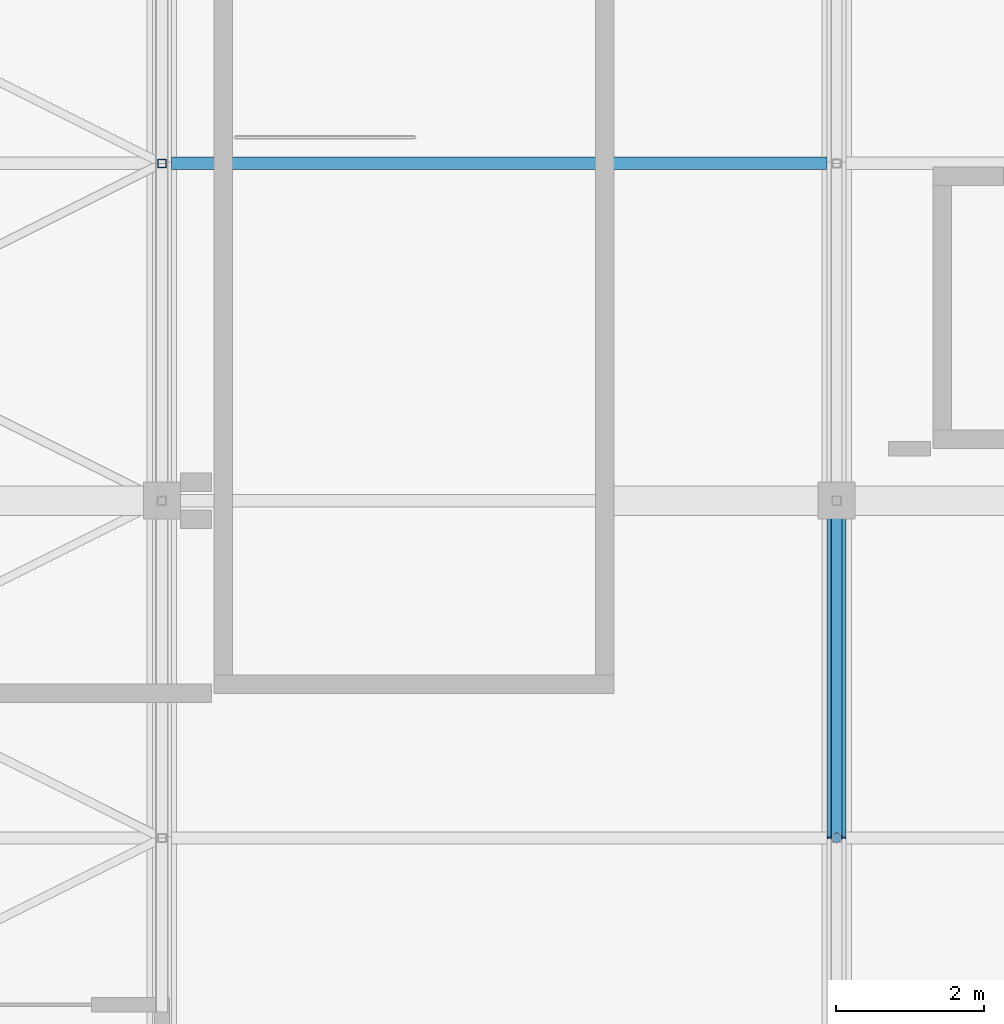
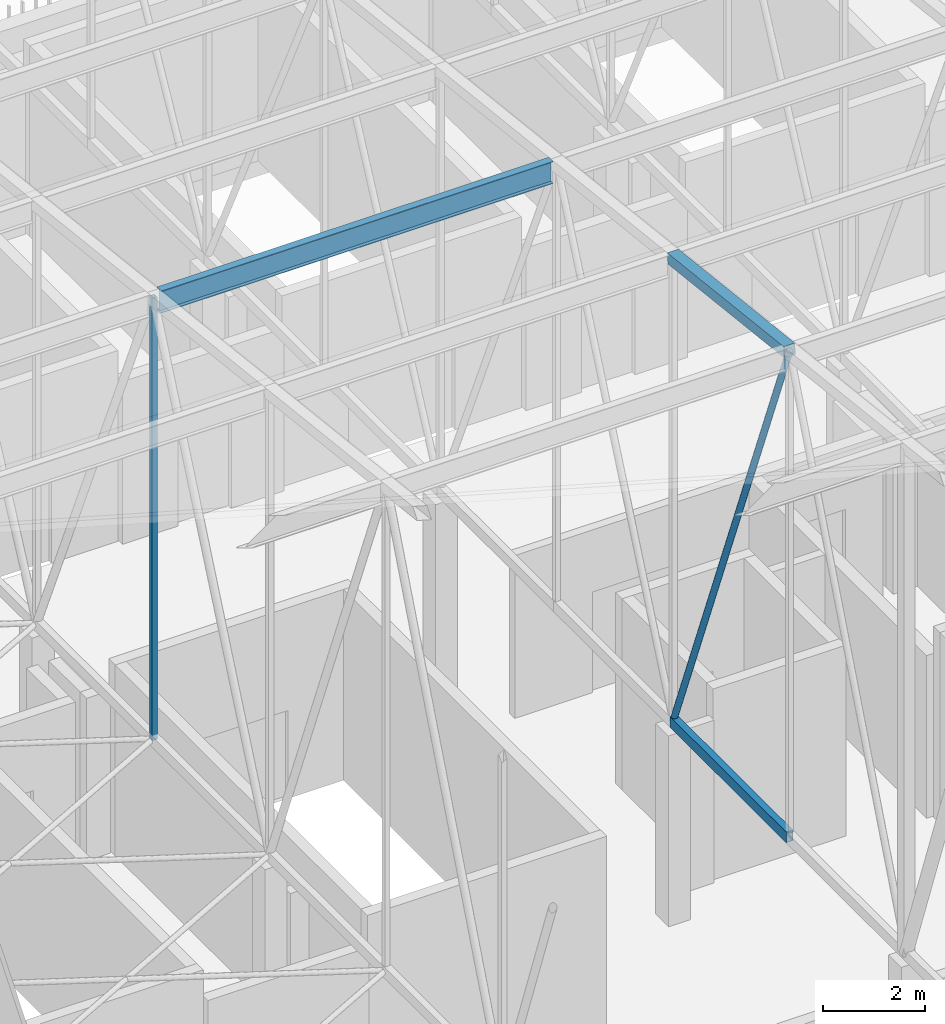
# One storey, part 190 of 500: 5 members.
"""IFC4 building model written with IfcOpenShell, lengths in metres."""

from ifc_helpers import new_model, si_unit, direction, frame, origin, origin_2d, place, context, subcontext, project, spatial, hollow_rectangle, hollow_circle, i_section, extrude, material, material_profile, profile_set, type_object, element, save


model = new_model("IFC4")

# Units and contexts
model_context = context("Model", 3, precision=1e-05, world=origin(), true_north=direction((0.0, 1.0)))
body_context = subcontext(model_context, "Body", "Model", "MODEL_VIEW")
ifc_project = project(units=[si_unit("LENGTHUNIT", "METRE"), si_unit("AREAUNIT", "SQUARE_METRE"), si_unit("VOLUMEUNIT", "CUBIC_METRE"), si_unit("PLANEANGLEUNIT", "RADIAN"), si_unit("MASSUNIT", "GRAM", prefix="KILO")], contexts=[model_context])

# Site, building, storey
site_placement = place(None, origin())
site = spatial("IfcSite", under=ifc_project, at=site_placement, CompositionType="ELEMENT")
building_placement = place(site_placement, origin())
building = spatial("IfcBuilding", under=site, at=building_placement, Name="Shirokan Park Arena", CompositionType="ELEMENT")
storey_placement = place(building_placement, frame((0.0, 0.0, 29.1201171875)))
storey = spatial("IfcBuildingStorey", under=building, at=storey_placement, Name="L06", CompositionType="ELEMENT", Elevation=29.1201171875)

# Members
ifc_material_1 = material(Name="Steel ASTM A500 Grade C", Category="steel")
ifc_material_profile_1 = material_profile(ifc_material_1, hollow_rectangle(XDim=0.152099609375, YDim=0.25390625, WallThickness=0.009521484375, at=origin_2d()), Name="HSS254X152.4X9.5")
ifc_profile_set_1 = profile_set([ifc_material_profile_1], Name="Steel ASTM A500 Grade C")
member_type_1 = type_object("IfcMemberType", Name="Bottom chord HSS254X152.4X9.5", PredefinedType="CHORD", material=ifc_profile_set_1)
member_1_placement = place(storey_placement, frame((18.199951171875, 77.35009765625, 4.677001953125), z_axis=(0.0, 1.0, 0.0), x_axis=(-1.0, 0.0, 0.0)))
element("IfcMember", 1, at=member_1_placement, inside=storey, type_object=member_type_1, Name="Truss T03 bottom chord 20", PredefinedType="CHORD", context=body_context, shape_type="SweptSolid", body=[
    extrude(hollow_rectangle(XDim=0.152099609375, YDim=0.25390625, WallThickness=0.009521484375, at=origin_2d()), origin(), (0.0, 0.0, 1.0), 4.5498046875),
])
ifc_material_2 = material(Name="Steel ASTM A992", Category="steel")
ifc_material_profile_2 = material_profile(ifc_material_2, i_section(OverallWidth=0.166015625, OverallDepth=0.528076171875, WebThickness=0.009765625, FlangeThickness=0.013671875, at=origin_2d()), Name="W530X74")
ifc_profile_set_2 = profile_set([ifc_material_profile_2], Name="Steel ASTM A992")
member_type_2 = type_object("IfcMemberType", Name="Purlin W530X74", PredefinedType="PURLIN", material=ifc_profile_set_2)
member_2_placement = place(storey_placement, frame((9.22705078125, 86.449951171875, 15.0859375), z_axis=(1.0, 0.0, 0.0), x_axis=(0.0, 1.0, 0.0)))
element("IfcMember", 2, at=member_2_placement, inside=storey, type_object=member_type_2, Name="Purlin 22 bay 2", PredefinedType="PURLIN", context=body_context, shape_type="SweptSolid", body=[
    extrude(i_section(OverallWidth=0.166015625, OverallDepth=0.528076171875, WebThickness=0.009765625, FlangeThickness=0.013671875, at=origin_2d()), origin(), (0.0, 0.0, 1.0), 8.845947265625),
])
ifc_material_profile_3 = material_profile(ifc_material_1, hollow_rectangle(XDim=0.25390625, YDim=0.25390625, WallThickness=0.009521484375, at=origin_2d()), Name="HSS254X254X9.5")
ifc_profile_set_3 = profile_set([ifc_material_profile_3], Name="Steel ASTM A500 Grade C")
member_type_3 = type_object("IfcMemberType", Name="Top chord HSS254X254X9.5", PredefinedType="CHORD", material=ifc_profile_set_3)
member_3_placement = place(storey_placement, frame((18.199951171875, 77.35009765625, 16.262939453125), z_axis=(0.0, 0.993531641592, -0.11355561261), x_axis=(-1.0, 0.0, 0.0)))
element("IfcMember", 3, at=member_3_placement, inside=storey, type_object=member_type_3, Name="Truss T03 top chord 20", PredefinedType="CHORD", context=body_context, shape_type="SweptSolid", body=[
    extrude(hollow_rectangle(XDim=0.25390625, YDim=0.25390625, WallThickness=0.009521484375, at=origin_2d()), origin(), (0.0, 0.0, 1.0), 4.579345703125),
])
ifc_material_profile_4 = material_profile(ifc_material_1, hollow_circle(Radius=0.070556640625, WallThickness=0.006591796875, at=origin_2d()), Name="HSS141.3X6.6")
ifc_profile_set_4 = profile_set([ifc_material_profile_4], Name="Steel ASTM A500 Grade C")
member_type_4 = type_object("IfcMemberType", Name="Truss diagonal HSS141.3X6.6", PredefinedType="BRACE", material=ifc_profile_set_4)
member_4_placement = place(storey_placement, frame((18.199951171875, 77.35009765625, 16.262939453125), z_axis=(0.0, 0.365526146051, -0.930801072493), x_axis=(-1.0, 0.0, 0.0)))
element("IfcMember", 4, at=member_4_placement, inside=storey, type_object=member_type_4, Name="Truss T03 diagonal 20", PredefinedType="BRACE", context=body_context, shape_type="SweptSolid", body=[
    extrude(hollow_circle(Radius=0.070556640625, WallThickness=0.006591796875, at=origin_2d()), origin(), (0.0, 0.0, 1.0), 12.447265625),
])
ifc_material_profile_5 = material_profile(ifc_material_1, hollow_rectangle(XDim=0.114013671875, YDim=0.114013671875, WallThickness=0.00634765625, at=origin_2d()), Name="HSS114.3X114.3X6.4")
ifc_profile_set_5 = profile_set([ifc_material_profile_5], Name="Steel ASTM A500 Grade C")
member_type_5 = type_object("IfcMemberType", Name="Truss post HSS114.3X114.3X6.4", PredefinedType="POST", material=ifc_profile_set_5)
member_5_placement = place(storey_placement, frame((9.10009765625, 86.449951171875, 4.677001953125), z_axis=(0.0, 0.0, 1.0), x_axis=(1.0, 0.0, 0.0)))
element("IfcMember", 5, at=member_5_placement, inside=storey, type_object=member_type_5, Name="Truss T02 post 22", PredefinedType="POST", context=body_context, shape_type="SweptSolid", body=[
    extrude(hollow_rectangle(XDim=0.114013671875, YDim=0.114013671875, WallThickness=0.00634765625, at=origin_2d()), origin(), (0.0, 0.0, 1.0), 10.5458984375),
])

save(model, "model.ifc")
